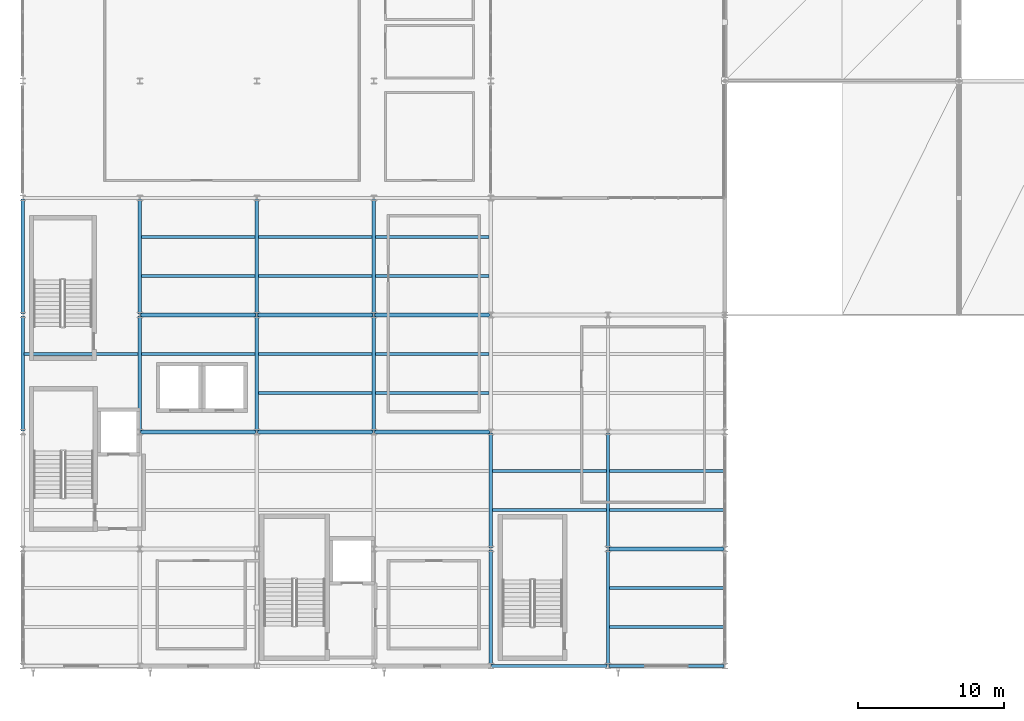
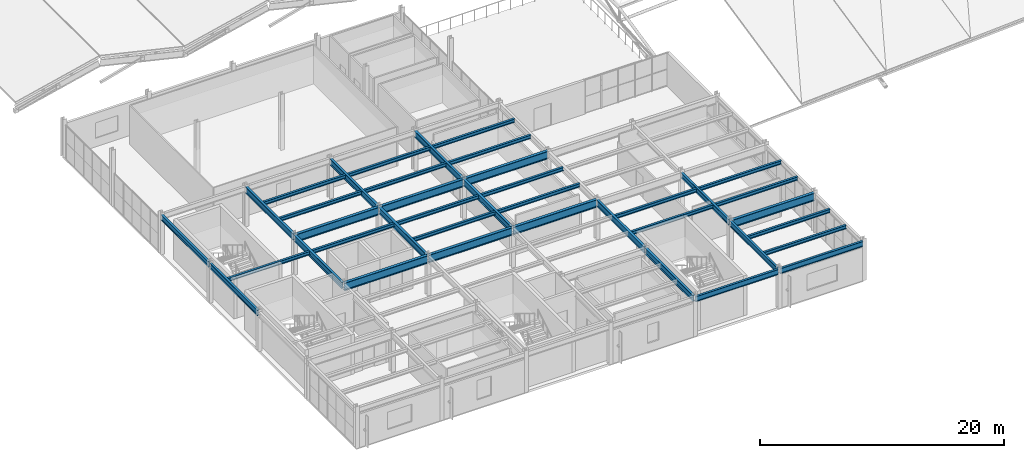
# One storey, part 4 of 67: 39 beams.
"""IFC4 building model written with IfcOpenShell, lengths in metres."""

import ifcopenshell
import ifcopenshell.guid

model = None  # the IFC model being written
_history = None  # IfcOwnerHistory: only IFC2X3 demands one
_inside = {}  # id of a spatial element -> (the spatial element, [elements in it])
_under = {}  # id of a project, library or spatial element -> (it, [spatial elements below it])
_declared = {}  # id of a project -> (the project, [libraries it declares])
_typed = {}  # id of a type object -> (the type object, [elements of that type])
_made_of = {}  # id of a material, layer set ... -> (it, [elements and type objects made of it])


def new_model(schema):
    """Start an empty IFC model of exactly this schema.

    Asked for "IFC4X3", IfcOpenShell would pick the latest addendum, in which some entities
    have other attributes; the version numbers below select the first issue.
    IFC2X3 requires an IfcOwnerHistory on every rooted entity: one is made here for all.
    """
    global model, _history
    if schema == "IFC4X3":
        model = ifcopenshell.file(schema_version=(4, 3, 0, 0))
    else:
        model = ifcopenshell.file(schema=schema)
    _inside.clear()
    _under.clear()
    _declared.clear()
    _typed.clear()
    _made_of.clear()
    _history = None
    if model.schema == "IFC2X3":
        org = make("IfcOrganization", Name="unknown")
        user = make(
            "IfcPersonAndOrganization",
            ThePerson=make("IfcPerson", FamilyName="unknown"),
            TheOrganization=org,
        )
        app = make(
            "IfcApplication",
            ApplicationDeveloper=org,
            Version="unknown",
            ApplicationFullName="unknown",
            ApplicationIdentifier="unknown",
        )
        _history = make(
            "IfcOwnerHistory",
            OwningUser=user,
            OwningApplication=app,
            ChangeAction="ADDED",
            CreationDate=0,
        )
    return model


def make(cls, **values):
    """One entity of the class cls with the attributes given. An attribute that is None is left unset."""
    return model.create_entity(
        cls, **{name: value for name, value in values.items() if value is not None}
    )


def rooted(cls, **values):
    """An entity with a GlobalId (a new one), such as an element, a storey or a relation."""
    return make(cls, GlobalId=ifcopenshell.guid.new(), OwnerHistory=_history, **values)


def si_unit(unit_type, name, prefix=None):
    """IfcSIUnit, for example si_unit("LENGTHUNIT", "METRE", prefix="MILLI")."""
    return make("IfcSIUnit", UnitType=unit_type, Prefix=prefix, Name=name)


def assignment(units):
    """IfcUnitAssignment: the units of a project."""
    return None if units is None else make("IfcUnitAssignment", Units=units)


def point(xyz):
    """IfcCartesianPoint."""
    return None if xyz is None else make("IfcCartesianPoint", Coordinates=xyz)


def direction(xyz):
    """IfcDirection."""
    return None if xyz is None else make("IfcDirection", DirectionRatios=xyz)


def frame(location, z_axis=None, x_axis=None):
    """IfcAxis2Placement3D, a coordinate frame: its origin and axes. An axis left out is left unset."""
    return make(
        "IfcAxis2Placement3D",
        Location=point(location),
        Axis=direction(z_axis),
        RefDirection=direction(x_axis),
    )


def frame_2d(location, x_axis=None):
    """IfcAxis2Placement2D, a coordinate frame in the plane: its origin and x axis."""
    return make(
        "IfcAxis2Placement2D", Location=point(location), RefDirection=direction(x_axis)
    )


def origin():
    """The frame at (0, 0, 0) with its axes left unset."""
    return frame((0.0, 0.0, 0.0))


def origin_2d():
    """The frame at (0, 0) in the plane with its x axis left unset."""
    return frame_2d((0.0, 0.0))


def place(relative_to, where):
    """IfcLocalPlacement: puts the frame where relative to a parent placement (None: the world)."""
    return make(
        "IfcLocalPlacement", PlacementRelTo=relative_to, RelativePlacement=where
    )


def context(
    kind, dimensions, precision=None, world=None, true_north=None, identifier=None
):
    """IfcGeometricRepresentationContext, for example the 3D "Model" context."""
    return make(
        "IfcGeometricRepresentationContext",
        ContextIdentifier=identifier,
        ContextType=kind,
        CoordinateSpaceDimension=dimensions,
        Precision=precision,
        WorldCoordinateSystem=world,
        TrueNorth=true_north,
    )


def subcontext(parent, identifier, kind, view, scale=None):
    """IfcGeometricRepresentationSubContext, for example "Body" below "Model"."""
    return make(
        "IfcGeometricRepresentationSubContext",
        ContextIdentifier=identifier,
        ContextType=kind,
        ParentContext=parent,
        TargetScale=scale,
        TargetView=view,
    )


def project(units=None, contexts=None):
    """IfcProject with its units and contexts."""
    return rooted(
        "IfcProject",
        Name="project",
        RepresentationContexts=contexts,
        UnitsInContext=assignment(units),
    )


def spatial(cls, under=None, at=None, **own):
    """A site, building, storey or space (cls), placed at a placement, below another one or the project."""
    s = rooted(cls, ObjectPlacement=at, **own)
    if under is not None:
        _under.setdefault(under.id(), (under, []))[1].append(s)
    return s


def profile(cls, at=None, kind="AREA", **sizes):
    """A parametric profile (cls). Its sizes go by their IFC names, for example OverallWidth=200.0."""
    return make(cls, ProfileType=kind, Position=at, **sizes)


def i_section(**sizes):
    """IfcIShapeProfileDef."""
    return profile("IfcIShapeProfileDef", **sizes)


def extrude(swept, where, along, depth):
    """IfcExtrudedAreaSolid: the profile swept, set in the frame where, extruded along a direction by depth."""
    return make(
        "IfcExtrudedAreaSolid",
        SweptArea=swept,
        Position=where,
        ExtrudedDirection=direction(along),
        Depth=depth,
    )


def shape(context_of_items, identifier, shape_type, items):
    """IfcShapeRepresentation: the items that make up one representation, for example the "Body"."""
    return make(
        "IfcShapeRepresentation",
        ContextOfItems=context_of_items,
        RepresentationIdentifier=identifier,
        RepresentationType=shape_type,
        Items=items,
    )


def material(Name=None, Category=None):
    """IfcMaterial."""
    return make("IfcMaterial", Name=Name, Category=Category)


def material_profile(
    of_material, cross_section, Name=None, Category=None, Priority=None
):
    """IfcMaterialProfile: a cross section and its material."""
    return make(
        "IfcMaterialProfile",
        Name=Name,
        Material=of_material,
        Profile=cross_section,
        Priority=Priority,
        Category=Category,
    )


def profile_set(profiles, Name=None, composite=None):
    """IfcMaterialProfileSet."""
    return make(
        "IfcMaterialProfileSet",
        Name=Name,
        MaterialProfiles=profiles,
        CompositeProfile=composite,
    )


def made_of(thing, what):
    """Note that an element or type object is made of a material, layer set ...; save() writes the relation."""
    if what is not None:
        _made_of.setdefault(what.id(), (what, []))[1].append(thing)
    return thing


def type_object(cls, material=None, **own):
    """A type object (cls), such as IfcWallType, which elements share."""
    return made_of(rooted(cls, **own), material)


def element(
    cls,
    number,
    at=None,
    inside=None,
    cuts=None,
    type_object=None,
    material=None,
    context=None,
    identifier="Body",
    shape_type=None,
    held_by="IfcProductDefinitionShape",
    body=None,
    shapes=None,
    **own,
):
    """One element of the class cls, such as IfcWall. Its Tag is "e" and its number.

    at: its placement. inside: the storey or other place that contains it. cuts: it is an
    opening in that element (IfcRelVoidsElement). A single representation is given by context,
    identifier, shape_type and body (its items); several are given by shapes. held_by: the class
    of the entity that holds the representations. save() writes the other relations.
    """
    e = rooted(cls, Tag="e%d" % number, ObjectPlacement=at, **own)
    if body is not None:
        shapes = [shape(context, identifier, shape_type, body)]
    if shapes is not None:
        e.Representation = make(held_by, Representations=shapes)
    if inside is not None:
        _inside.setdefault(inside.id(), (inside, []))[1].append(e)
    if cuts is not None:
        rooted(
            "IfcRelVoidsElement", RelatingBuildingElement=cuts, RelatedOpeningElement=e
        )
    if type_object is not None:
        _typed.setdefault(type_object.id(), (type_object, []))[1].append(e)
    return made_of(e, material)


def aggregate(whole, parts):
    """IfcRelAggregates: a whole, such as a stair, and the parts it consists of."""
    return rooted("IfcRelAggregates", RelatingObject=whole, RelatedObjects=parts)


def save(model, path):
    """Write the relations noted so far, then the file.

    IfcRelAggregates (storeys below a building ...), IfcRelContainedInSpatialStructure (elements
    in a storey), IfcRelDefinesByType, IfcRelAssociatesMaterial and IfcRelDeclares: one each for
    every whole, place, type object, material and project.
    """
    for whole, parts in _under.values():
        aggregate(whole, parts)
    for where, things in _inside.values():
        rooted(
            "IfcRelContainedInSpatialStructure",
            RelatedElements=things,
            RelatingStructure=where,
        )
    for kind, things in _typed.values():
        rooted("IfcRelDefinesByType", RelatedObjects=things, RelatingType=kind)
    for what, things in _made_of.values():
        rooted("IfcRelAssociatesMaterial", RelatedObjects=things, RelatingMaterial=what)
    for by, libraries in _declared.values():
        rooted("IfcRelDeclares", RelatingContext=by, RelatedDefinitions=libraries)
    model.write(path)


model = new_model("IFC4")

# Units and contexts
model_context = context("Model", 3, precision=1e-05, world=origin(), true_north=direction((0.0, 1.0)))
body_context = subcontext(model_context, "Body", "Model", "MODEL_VIEW")
ifc_project = project(units=[si_unit("LENGTHUNIT", "METRE"), si_unit("AREAUNIT", "SQUARE_METRE"), si_unit("VOLUMEUNIT", "CUBIC_METRE"), si_unit("PLANEANGLEUNIT", "RADIAN"), si_unit("MASSUNIT", "GRAM", prefix="KILO")], contexts=[model_context])

# Site, building, storey
site_placement = place(None, origin())
site = spatial("IfcSite", under=ifc_project, at=site_placement, CompositionType="ELEMENT")
building_placement = place(site_placement, origin())
building = spatial("IfcBuilding", under=site, at=building_placement, Name="Drelvath Fold Interchange", CompositionType="ELEMENT")
storey_placement = place(building_placement, frame((0.0, 0.0, 15.60009765625)))
storey = spatial("IfcBuildingStorey", under=building, at=storey_placement, Name="L03", CompositionType="ELEMENT", Elevation=15.60009765625)

# Beams
ifc_material = material(Name="Steel ASTM A992 Grade 50", Category="steel")
ifc_material_profile_1 = material_profile(ifc_material, i_section(OverallWidth=0.205078125, OverallDepth=0.35400390625, WebThickness=0.009521484375, FlangeThickness=0.016845703125, at=origin_2d()), Name="W14X53")
ifc_profile_set_1 = profile_set([ifc_material_profile_1], Name="Steel ASTM A992 Grade 50")
beam_type_1 = type_object("IfcBeamType", Name="BM-W14X53", PredefinedType="JOIST", material=ifc_profile_set_1)
beam_placement = place(storey_placement, frame((4.10302734375, 24.3330078125, 3.802978515625), z_axis=(1.0, 0.0, 0.0), x_axis=(0.0, 1.0, 0.0)))
element("IfcBeam", 1, at=beam_placement, inside=storey, type_object=beam_type_1, Name="L03 Secondary floor joist BM-W14X53", PredefinedType="JOIST", context=body_context, shape_type="SweptSolid", body=[
    extrude(i_section(OverallWidth=0.205078125, OverallDepth=0.35400390625, WebThickness=0.009521484375, FlangeThickness=0.016845703125, at=origin_2d()), origin(), (0.0, 0.0, 1.0), 7.783935546875),
])
for number, where, z_axis, x_axis, name in (
    (2, (12.113037109375, 24.3330078125, 3.802978515625), (1.0, 0.0, 0.0), (0.0, 1.0, 0.0), "L03 Secondary floor joist BM-W14X53"),
    (3, (12.113037109375, 29.6669921875, 3.802978515625), (1.0, 0.0, 0.0), (0.0, 1.0, 0.0), "L03 Secondary floor joist BM-W14X53"),
    (4, (12.113037109375, 32.3330078125, 3.802978515625), (1.0, 0.0, 0.0), (0.0, 1.0, 0.0), "L03 Secondary floor joist BM-W14X53"),
    (5, (20.113037109375, 21.6669921875, 3.802978515625), (1.0, 0.0, 0.0), (0.0, 1.0, 0.0), "L03 Secondary floor joist BM-W14X53"),
    (6, (20.113037109375, 24.3330078125, 3.802978515625), (1.0, 0.0, 0.0), (0.0, 1.0, 0.0), "L03 Secondary floor joist BM-W14X53"),
    (7, (20.113037109375, 29.6669921875, 3.802978515625), (1.0, 0.0, 0.0), (0.0, 1.0, 0.0), "L03 Secondary floor joist BM-W14X53"),
    (8, (20.113037109375, 32.3330078125, 3.802978515625), (1.0, 0.0, 0.0), (0.0, 1.0, 0.0), "L03 Secondary floor joist BM-W14X53"),
    (9, (28.113037109375, 21.6669921875, 3.802978515625), (1.0, 0.0, 0.0), (0.0, 1.0, 0.0), "L03 Secondary floor joist BM-W14X53"),
    (10, (28.113037109375, 24.3330078125, 3.802978515625), (1.0, 0.0, 0.0), (0.0, 1.0, 0.0), "L03 Secondary floor joist BM-W14X53"),
    (11, (28.113037109375, 29.6669921875, 3.802978515625), (1.0, 0.0, 0.0), (0.0, 1.0, 0.0), "L03 Secondary floor joist BM-W14X53"),
    (12, (28.113037109375, 32.3330078125, 3.802978515625), (1.0, 0.0, 0.0), (0.0, 1.0, 0.0), "L03 Secondary floor joist BM-W14X53"),
):
    element("IfcBeam", number, at=place(storey_placement, frame(where, z_axis=z_axis, x_axis=x_axis)), inside=storey, type_object=beam_type_1, Name=name, PredefinedType="JOIST", context=body_context, shape_type="SweptSolid", body=[
        extrude(i_section(OverallWidth=0.205078125, OverallDepth=0.35400390625, WebThickness=0.009521484375, FlangeThickness=0.016845703125, at=origin_2d()), origin(), (0.0, 0.0, 1.0), 7.77392578125),
    ])
for number, where, z_axis, x_axis, name in (
    (13, (36.113037109375, 13.6669921875, 3.722900390625), (1.0, 0.0, 0.0), (0.0, 1.0, 0.0), "L03 Secondary floor joist BM-W14X53"),
    (14, (36.113037109375, 16.3330078125, 3.722900390625), (1.0, 0.0, 0.0), (0.0, 1.0, 0.0), "L03 Secondary floor joist BM-W14X53"),
):
    element("IfcBeam", number, at=place(storey_placement, frame(where, z_axis=z_axis, x_axis=x_axis)), inside=storey, type_object=beam_type_1, Name=name, PredefinedType="JOIST", context=body_context, shape_type="SweptSolid", body=[
        extrude(i_section(OverallWidth=0.205078125, OverallDepth=0.35400390625, WebThickness=0.009521484375, FlangeThickness=0.016845703125, at=origin_2d()), origin(), (0.0, 0.0, 1.0), 7.783935546875),
    ])
for number, where, z_axis, x_axis, name in (
    (15, (44.10302734375, 5.6669921875, 3.722900390625), (1.0, 0.0, 0.0), (0.0, 1.0, 0.0), "L03 Secondary floor joist BM-W14X53"),
    (16, (44.10302734375, 8.3330078125, 3.722900390625), (1.0, 0.0, 0.0), (0.0, 1.0, 0.0), "L03 Secondary floor joist BM-W14X53"),
    (17, (44.10302734375, 13.6669921875, 3.722900390625), (1.0, 0.0, 0.0), (0.0, 1.0, 0.0), "L03 Secondary floor joist BM-W14X53"),
    (18, (44.10302734375, 16.3330078125, 3.722900390625), (1.0, 0.0, 0.0), (0.0, 1.0, 0.0), "L03 Secondary floor joist BM-W14X53"),
):
    element("IfcBeam", number, at=place(storey_placement, frame(where, z_axis=z_axis, x_axis=x_axis)), inside=storey, type_object=beam_type_1, Name=name, PredefinedType="JOIST", context=body_context, shape_type="SweptSolid", body=[
        extrude(i_section(OverallWidth=0.205078125, OverallDepth=0.35400390625, WebThickness=0.009521484375, FlangeThickness=0.016845703125, at=origin_2d()), origin(), (0.0, 0.0, 1.0), 7.7939453125),
    ])
ifc_material_profile_2 = material_profile(ifc_material, i_section(OverallWidth=0.2099609375, OverallDepth=0.537109375, WebThickness=0.010986328125, FlangeThickness=0.017333984375, at=origin_2d()), Name="W21X68")
ifc_profile_set_2 = profile_set([ifc_material_profile_2], Name="Steel ASTM A992 Grade 50")
beam_type_2 = type_object("IfcBeamType", Name="BM-W21X68", PredefinedType="SPANDREL", material=ifc_profile_set_2)
for number, where, z_axis, x_axis, name in (
    (19, (36.06005859375, 3.0, 3.6318359375), (1.0, 0.0, 0.0), (0.0, 1.0, 0.0), "L03 Primary X girder BM-W21X68"),
    (20, (44.06005859375, 3.0, 3.6318359375), (1.0, 0.0, 0.0), (0.0, 1.0, 0.0), "L03 Primary X girder BM-W21X68"),
    (21, (4.0, 19.06005859375, 3.7109375), (0.0, 1.0, 0.0), (-1.0, 0.0, 0.0), "L03 Primary Y girder BM-W21X68"),
    (22, (4.0, 27.06005859375, 3.7109375), (0.0, 1.0, 0.0), (-1.0, 0.0, 0.0), "L03 Primary Y girder BM-W21X68"),
    (23, (44.0, 3.06005859375, 3.6318359375), (0.0, 1.0, 0.0), (-1.0, 0.0, 0.0), "L03 Primary Y girder BM-W21X68"),
    (24, (44.0, 11.06005859375, 3.6318359375), (0.0, 1.0, 0.0), (-1.0, 0.0, 0.0), "L03 Primary Y girder BM-W21X68"),
):
    element("IfcBeam", number, at=place(storey_placement, frame(where, z_axis=z_axis, x_axis=x_axis)), inside=storey, type_object=beam_type_2, Name=name, PredefinedType="SPANDREL", context=body_context, shape_type="SweptSolid", body=[
        extrude(i_section(OverallWidth=0.2099609375, OverallDepth=0.537109375, WebThickness=0.010986328125, FlangeThickness=0.017333984375, at=origin_2d()), origin(), (0.0, 0.0, 1.0), 7.8798828125),
    ])
ifc_material_profile_3 = material_profile(ifc_material, i_section(OverallWidth=0.22998046875, OverallDepth=0.616943359375, WebThickness=0.01318359375, FlangeThickness=0.022216796875, at=origin_2d()), Name="W24X94")
ifc_profile_set_3 = profile_set([ifc_material_profile_3], Name="Steel ASTM A992 Grade 50")
beam_type_3 = type_object("IfcBeamType", Name="BM-W24X94", PredefinedType="BEAM", material=ifc_profile_set_3)
for number, where, z_axis, x_axis, name in (
    (25, (12.0, 19.06005859375, 3.6708984375), (0.0, 1.0, 0.0), (-1.0, 0.0, 0.0), "L03 Primary Y girder BM-W24X94"),
    (26, (12.0, 27.06005859375, 3.6708984375), (0.0, 1.0, 0.0), (-1.0, 0.0, 0.0), "L03 Primary Y girder BM-W24X94"),
    (27, (20.0, 19.06005859375, 3.6708984375), (0.0, 1.0, 0.0), (-1.0, 0.0, 0.0), "L03 Primary Y girder BM-W24X94"),
    (28, (20.0, 27.06005859375, 3.6708984375), (0.0, 1.0, 0.0), (-1.0, 0.0, 0.0), "L03 Primary Y girder BM-W24X94"),
    (29, (28.0, 19.06005859375, 3.6708984375), (0.0, 1.0, 0.0), (-1.0, 0.0, 0.0), "L03 Primary Y girder BM-W24X94"),
    (30, (28.0, 27.06005859375, 3.6708984375), (0.0, 1.0, 0.0), (-1.0, 0.0, 0.0), "L03 Primary Y girder BM-W24X94"),
    (31, (36.0, 3.06005859375, 3.6708984375), (0.0, 1.0, 0.0), (-1.0, 0.0, 0.0), "L03 Primary Y girder BM-W24X94"),
    (32, (36.0, 11.06005859375, 3.6708984375), (0.0, 1.0, 0.0), (-1.0, 0.0, 0.0), "L03 Primary Y girder BM-W24X94"),
):
    element("IfcBeam", number, at=place(storey_placement, frame(where, z_axis=z_axis, x_axis=x_axis)), inside=storey, type_object=beam_type_3, Name=name, PredefinedType="BEAM", context=body_context, shape_type="SweptSolid", body=[
        extrude(i_section(OverallWidth=0.22998046875, OverallDepth=0.616943359375, WebThickness=0.01318359375, FlangeThickness=0.022216796875, at=origin_2d()), origin(), (0.0, 0.0, 1.0), 7.8798828125),
    ])
ifc_material_profile_4 = material_profile(ifc_material, i_section(OverallWidth=0.26611328125, OverallDepth=0.779052734375, WebThickness=0.0166015625, FlangeThickness=0.030029296875, at=origin_2d()), Name="W30X148")
ifc_profile_set_4 = profile_set([ifc_material_profile_4], Name="Steel ASTM A992 Grade 50")
beam_type_4 = type_object("IfcBeamType", Name="BM-W30X148", PredefinedType="BEAM", material=ifc_profile_set_4)
for number, where, z_axis, x_axis, name in (
    (33, (44.06005859375, 11.0, 3.510009765625), (1.0, 0.0, 0.0), (0.0, 1.0, 0.0), "L03 Primary X girder BM-W30X148"),
    (34, (12.06005859375, 19.0, 3.58984375), (1.0, 0.0, 0.0), (0.0, 1.0, 0.0), "L03 Primary X girder BM-W30X148"),
    (35, (20.06005859375, 19.0, 3.58984375), (1.0, 0.0, 0.0), (0.0, 1.0, 0.0), "L03 Primary X girder BM-W30X148"),
    (36, (28.06005859375, 19.0, 3.58984375), (1.0, 0.0, 0.0), (0.0, 1.0, 0.0), "L03 Primary X girder BM-W30X148"),
    (37, (12.06005859375, 27.0, 3.58984375), (1.0, 0.0, 0.0), (0.0, 1.0, 0.0), "L03 Primary X girder BM-W30X148"),
    (38, (20.06005859375, 27.0, 3.58984375), (1.0, 0.0, 0.0), (0.0, 1.0, 0.0), "L03 Primary X girder BM-W30X148"),
    (39, (28.06005859375, 27.0, 3.58984375), (1.0, 0.0, 0.0), (0.0, 1.0, 0.0), "L03 Primary X girder BM-W30X148"),
):
    element("IfcBeam", number, at=place(storey_placement, frame(where, z_axis=z_axis, x_axis=x_axis)), inside=storey, type_object=beam_type_4, Name=name, PredefinedType="BEAM", context=body_context, shape_type="SweptSolid", body=[
        extrude(i_section(OverallWidth=0.26611328125, OverallDepth=0.779052734375, WebThickness=0.0166015625, FlangeThickness=0.030029296875, at=origin_2d()), origin(), (0.0, 0.0, 1.0), 7.8798828125),
    ])

save(model, "model.ifc")
